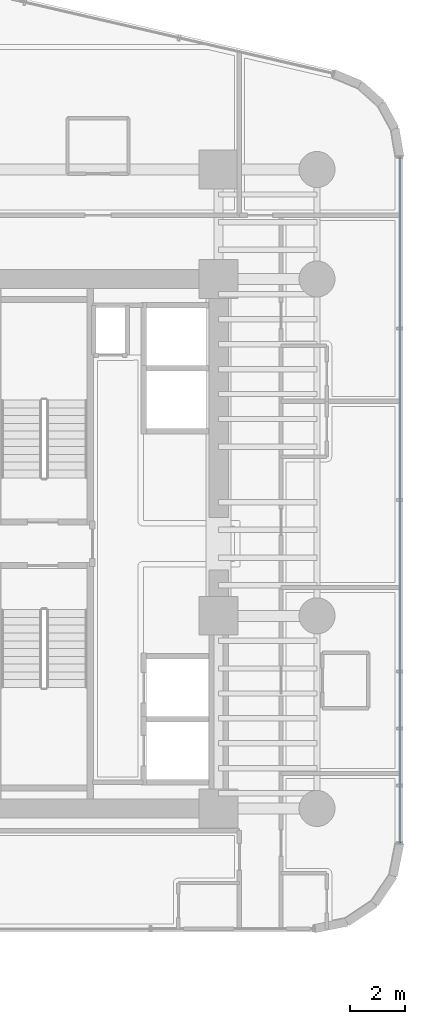
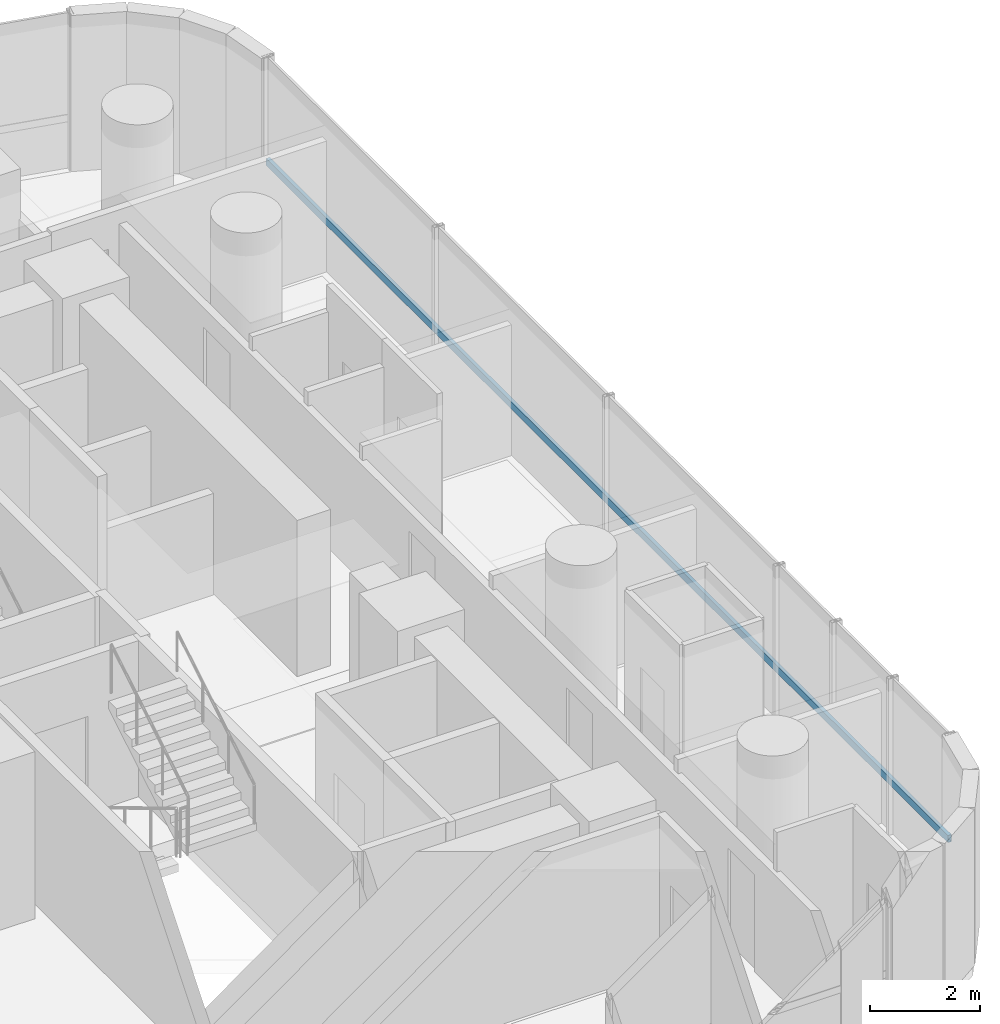
# One storey, part 26 of 40: 1 member, 1 element without a shape of its own.
"""IFC4 building model written with IfcOpenShell, lengths in metres."""

import ifcopenshell
import ifcopenshell.guid

model = None  # the IFC model being written
_history = None  # IfcOwnerHistory: only IFC2X3 demands one
_inside = {}  # id of a spatial element -> (the spatial element, [elements in it])
_under = {}  # id of a project, library or spatial element -> (it, [spatial elements below it])
_declared = {}  # id of a project -> (the project, [libraries it declares])
_typed = {}  # id of a type object -> (the type object, [elements of that type])
_made_of = {}  # id of a material, layer set ... -> (it, [elements and type objects made of it])


def new_model(schema):
    """Start an empty IFC model of exactly this schema.

    Asked for "IFC4X3", IfcOpenShell would pick the latest addendum, in which some entities
    have other attributes; the version numbers below select the first issue.
    IFC2X3 requires an IfcOwnerHistory on every rooted entity: one is made here for all.
    """
    global model, _history
    if schema == "IFC4X3":
        model = ifcopenshell.file(schema_version=(4, 3, 0, 0))
    else:
        model = ifcopenshell.file(schema=schema)
    _inside.clear()
    _under.clear()
    _declared.clear()
    _typed.clear()
    _made_of.clear()
    _history = None
    if model.schema == "IFC2X3":
        org = make("IfcOrganization", Name="unknown")
        user = make(
            "IfcPersonAndOrganization",
            ThePerson=make("IfcPerson", FamilyName="unknown"),
            TheOrganization=org,
        )
        app = make(
            "IfcApplication",
            ApplicationDeveloper=org,
            Version="unknown",
            ApplicationFullName="unknown",
            ApplicationIdentifier="unknown",
        )
        _history = make(
            "IfcOwnerHistory",
            OwningUser=user,
            OwningApplication=app,
            ChangeAction="ADDED",
            CreationDate=0,
        )
    return model


def make(cls, **values):
    """One entity of the class cls with the attributes given. An attribute that is None is left unset."""
    return model.create_entity(
        cls, **{name: value for name, value in values.items() if value is not None}
    )


def rooted(cls, **values):
    """An entity with a GlobalId (a new one), such as an element, a storey or a relation."""
    return make(cls, GlobalId=ifcopenshell.guid.new(), OwnerHistory=_history, **values)


def si_unit(unit_type, name, prefix=None):
    """IfcSIUnit, for example si_unit("LENGTHUNIT", "METRE", prefix="MILLI")."""
    return make("IfcSIUnit", UnitType=unit_type, Prefix=prefix, Name=name)


def assignment(units):
    """IfcUnitAssignment: the units of a project."""
    return None if units is None else make("IfcUnitAssignment", Units=units)


def point(xyz):
    """IfcCartesianPoint."""
    return None if xyz is None else make("IfcCartesianPoint", Coordinates=xyz)


def direction(xyz):
    """IfcDirection."""
    return None if xyz is None else make("IfcDirection", DirectionRatios=xyz)


def frame(location, z_axis=None, x_axis=None):
    """IfcAxis2Placement3D, a coordinate frame: its origin and axes. An axis left out is left unset."""
    return make(
        "IfcAxis2Placement3D",
        Location=point(location),
        Axis=direction(z_axis),
        RefDirection=direction(x_axis),
    )


def frame_2d(location, x_axis=None):
    """IfcAxis2Placement2D, a coordinate frame in the plane: its origin and x axis."""
    return make(
        "IfcAxis2Placement2D", Location=point(location), RefDirection=direction(x_axis)
    )


def origin():
    """The frame at (0, 0, 0) with its axes left unset."""
    return frame((0.0, 0.0, 0.0))


def origin_2d():
    """The frame at (0, 0) in the plane with its x axis left unset."""
    return frame_2d((0.0, 0.0))


def place(relative_to, where):
    """IfcLocalPlacement: puts the frame where relative to a parent placement (None: the world)."""
    return make(
        "IfcLocalPlacement", PlacementRelTo=relative_to, RelativePlacement=where
    )


def context(
    kind, dimensions, precision=None, world=None, true_north=None, identifier=None
):
    """IfcGeometricRepresentationContext, for example the 3D "Model" context."""
    return make(
        "IfcGeometricRepresentationContext",
        ContextIdentifier=identifier,
        ContextType=kind,
        CoordinateSpaceDimension=dimensions,
        Precision=precision,
        WorldCoordinateSystem=world,
        TrueNorth=true_north,
    )


def subcontext(parent, identifier, kind, view, scale=None):
    """IfcGeometricRepresentationSubContext, for example "Body" below "Model"."""
    return make(
        "IfcGeometricRepresentationSubContext",
        ContextIdentifier=identifier,
        ContextType=kind,
        ParentContext=parent,
        TargetScale=scale,
        TargetView=view,
    )


def project(units=None, contexts=None):
    """IfcProject with its units and contexts."""
    return rooted(
        "IfcProject",
        Name="project",
        RepresentationContexts=contexts,
        UnitsInContext=assignment(units),
    )


def spatial(cls, under=None, at=None, **own):
    """A site, building, storey or space (cls), placed at a placement, below another one or the project."""
    s = rooted(cls, ObjectPlacement=at, **own)
    if under is not None:
        _under.setdefault(under.id(), (under, []))[1].append(s)
    return s


def profile(cls, at=None, kind="AREA", **sizes):
    """A parametric profile (cls). Its sizes go by their IFC names, for example OverallWidth=200.0."""
    return make(cls, ProfileType=kind, Position=at, **sizes)


def hollow_rectangle(**sizes):
    """IfcRectangleHollowProfileDef."""
    return profile("IfcRectangleHollowProfileDef", **sizes)


def extrude(swept, where, along, depth):
    """IfcExtrudedAreaSolid: the profile swept, set in the frame where, extruded along a direction by depth."""
    return make(
        "IfcExtrudedAreaSolid",
        SweptArea=swept,
        Position=where,
        ExtrudedDirection=direction(along),
        Depth=depth,
    )


def shape(context_of_items, identifier, shape_type, items):
    """IfcShapeRepresentation: the items that make up one representation, for example the "Body"."""
    return make(
        "IfcShapeRepresentation",
        ContextOfItems=context_of_items,
        RepresentationIdentifier=identifier,
        RepresentationType=shape_type,
        Items=items,
    )


def source(mapping_origin, context_of_items, identifier, shape_type, items):
    """IfcRepresentationMap: a shape defined once, which mapped items show again and again."""
    return make(
        "IfcRepresentationMap",
        MappingOrigin=mapping_origin,
        MappedRepresentation=shape(context_of_items, identifier, shape_type, items),
    )


def transform(
    local_origin,
    x_axis=None,
    y_axis=None,
    z_axis=None,
    scale=None,
    scale2=None,
    scale3=None,
    uniform=True,
):
    """IfcCartesianTransformationOperator3D, or its non-uniform kind. x_axis, y_axis, z_axis: its Axis1, 2, 3."""
    if uniform:
        return make(
            "IfcCartesianTransformationOperator3D",
            Axis1=direction(x_axis),
            Axis2=direction(y_axis),
            LocalOrigin=point(local_origin),
            Scale=scale,
            Axis3=direction(z_axis),
        )
    return make(
        "IfcCartesianTransformationOperator3DnonUniform",
        Axis1=direction(x_axis),
        Axis2=direction(y_axis),
        LocalOrigin=point(local_origin),
        Scale=scale,
        Axis3=direction(z_axis),
        Scale2=scale2,
        Scale3=scale3,
    )


def mapped(mapping_source, mapping_target):
    """IfcMappedItem: shows the shape of a source again, moved by a transform."""
    return make(
        "IfcMappedItem", MappingSource=mapping_source, MappingTarget=mapping_target
    )


def material(Name=None, Category=None):
    """IfcMaterial."""
    return make("IfcMaterial", Name=Name, Category=Category)


def material_profile(
    of_material, cross_section, Name=None, Category=None, Priority=None
):
    """IfcMaterialProfile: a cross section and its material."""
    return make(
        "IfcMaterialProfile",
        Name=Name,
        Material=of_material,
        Profile=cross_section,
        Priority=Priority,
        Category=Category,
    )


def profile_set(profiles, Name=None, composite=None):
    """IfcMaterialProfileSet."""
    return make(
        "IfcMaterialProfileSet",
        Name=Name,
        MaterialProfiles=profiles,
        CompositeProfile=composite,
    )


def made_of(thing, what):
    """Note that an element or type object is made of a material, layer set ...; save() writes the relation."""
    if what is not None:
        _made_of.setdefault(what.id(), (what, []))[1].append(thing)
    return thing


def type_object(cls, material=None, **own):
    """A type object (cls), such as IfcWallType, which elements share."""
    return made_of(rooted(cls, **own), material)


def element(
    cls,
    number,
    at=None,
    inside=None,
    cuts=None,
    type_object=None,
    material=None,
    context=None,
    identifier="Body",
    shape_type=None,
    held_by="IfcProductDefinitionShape",
    body=None,
    shapes=None,
    **own,
):
    """One element of the class cls, such as IfcWall. Its Tag is "e" and its number.

    at: its placement. inside: the storey or other place that contains it. cuts: it is an
    opening in that element (IfcRelVoidsElement). A single representation is given by context,
    identifier, shape_type and body (its items); several are given by shapes. held_by: the class
    of the entity that holds the representations. save() writes the other relations.
    """
    e = rooted(cls, Tag="e%d" % number, ObjectPlacement=at, **own)
    if body is not None:
        shapes = [shape(context, identifier, shape_type, body)]
    if shapes is not None:
        e.Representation = make(held_by, Representations=shapes)
    if inside is not None:
        _inside.setdefault(inside.id(), (inside, []))[1].append(e)
    if cuts is not None:
        rooted(
            "IfcRelVoidsElement", RelatingBuildingElement=cuts, RelatedOpeningElement=e
        )
    if type_object is not None:
        _typed.setdefault(type_object.id(), (type_object, []))[1].append(e)
    return made_of(e, material)


def aggregate(whole, parts):
    """IfcRelAggregates: a whole, such as a stair, and the parts it consists of."""
    return rooted("IfcRelAggregates", RelatingObject=whole, RelatedObjects=parts)


def save(model, path):
    """Write the relations noted so far, then the file.

    IfcRelAggregates (storeys below a building ...), IfcRelContainedInSpatialStructure (elements
    in a storey), IfcRelDefinesByType, IfcRelAssociatesMaterial and IfcRelDeclares: one each for
    every whole, place, type object, material and project.
    """
    for whole, parts in _under.values():
        aggregate(whole, parts)
    for where, things in _inside.values():
        rooted(
            "IfcRelContainedInSpatialStructure",
            RelatedElements=things,
            RelatingStructure=where,
        )
    for kind, things in _typed.values():
        rooted("IfcRelDefinesByType", RelatedObjects=things, RelatingType=kind)
    for what, things in _made_of.values():
        rooted("IfcRelAssociatesMaterial", RelatedObjects=things, RelatingMaterial=what)
    for by, libraries in _declared.values():
        rooted("IfcRelDeclares", RelatingContext=by, RelatedDefinitions=libraries)
    model.write(path)


model = new_model("IFC4")

# Units and contexts
model_context = context("Model", 3, precision=1e-05, world=origin(), true_north=direction((0.0, 1.0)))
body_context = subcontext(model_context, "Body", "Model", "MODEL_VIEW")
ifc_project = project(units=[si_unit("LENGTHUNIT", "METRE"), si_unit("AREAUNIT", "SQUARE_METRE"), si_unit("VOLUMEUNIT", "CUBIC_METRE"), si_unit("PLANEANGLEUNIT", "RADIAN"), si_unit("MASSUNIT", "GRAM", prefix="KILO")], contexts=[model_context])

# Site, building, storey
site_placement = place(None, origin())
site = spatial("IfcSite", under=ifc_project, at=site_placement, CompositionType="ELEMENT")
building_placement = place(site_placement, origin())
building = spatial("IfcBuilding", under=site, at=building_placement, Name="Valdorenza Pilgrim Sanctuary Tower", CompositionType="ELEMENT")
storey_placement = place(building_placement, frame((0.0, 0.0, 66.699951171875)))
storey = spatial("IfcBuildingStorey", under=building, at=storey_placement, Name="L16", CompositionType="ELEMENT", Elevation=66.699951171875)

# Curtain wall, member
ifc_material_1 = material(Name="Curtain-wall IGU glazing", Category="glass")
curtain_wall_type = type_object("IfcCurtainWallType", Name="CW-SYS-03", PredefinedType="NOTDEFINED", material=ifc_material_1)
curtain_wall_placement = place(storey_placement, origin())
curtain_wall = element("IfcCurtainWall", 1, at=curtain_wall_placement, inside=storey, type_object=curtain_wall_type, Name="L16 Curtain Wall CW-L16-1-21", PredefinedType="NOTDEFINED")
ifc_material_2 = material(Name="Anodised aluminium AW-6060", Category="aluminium")
ifc_material_profile = material_profile(ifc_material_2, hollow_rectangle(XDim=0.074951171875, YDim=0.159912109375, WallThickness=0.00390625, at=origin_2d()), Name="ALU-T 160x75x4")
ifc_profile_set = profile_set([ifc_material_profile], Name="Anodised aluminium AW-6060")
member_type = type_object("IfcMemberType", Name="CW-TRN-03", PredefinedType="USERDEFINED", material=ifc_profile_set)
shared_shape = source(origin(), body_context, "Body", "SweptSolid", [
    extrude(hollow_rectangle(XDim=0.074951171875, YDim=0.159912109375, WallThickness=0.00390625, at=origin_2d()), origin(), (0.0, 0.0, 1.0), 24.734375),
])
member_placement = place(storey_placement, frame((31.389892578125, 13.945068359375, 1.1201171875), z_axis=(0.0, -1.0, 0.0), x_axis=(1.0, 0.0, 0.0)))
member = element("IfcMember", 2, at=member_placement, type_object=member_type, Name="CW-L16-1-21 Transom 1", ObjectType="TRANSOM", PredefinedType="USERDEFINED", context=body_context, shape_type="MappedRepresentation", body=[
    mapped(shared_shape, transform((0.0, 0.0, 0.0), x_axis=(1.0, 0.0, 0.0), y_axis=(0.0, 1.0, 0.0), z_axis=(0.0, 0.0, 1.0), scale=1.0)),
])
aggregate(curtain_wall, [member])

save(model, "model.ifc")
